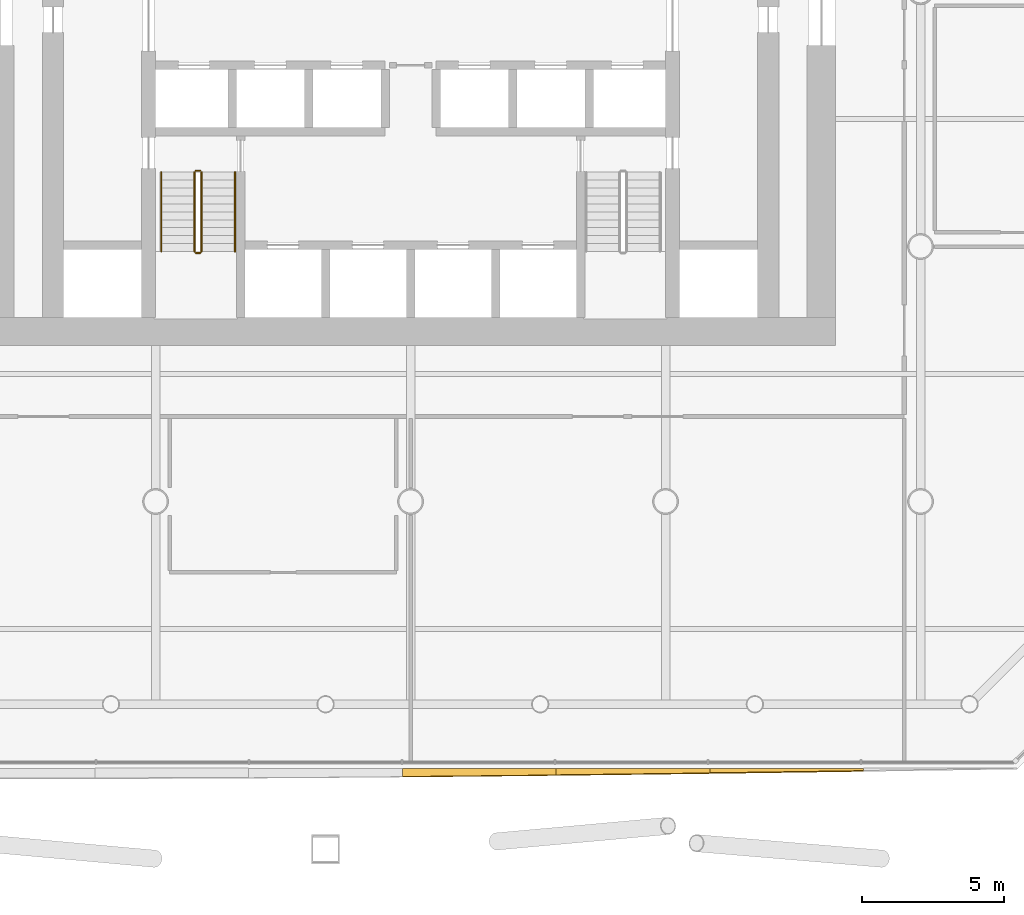
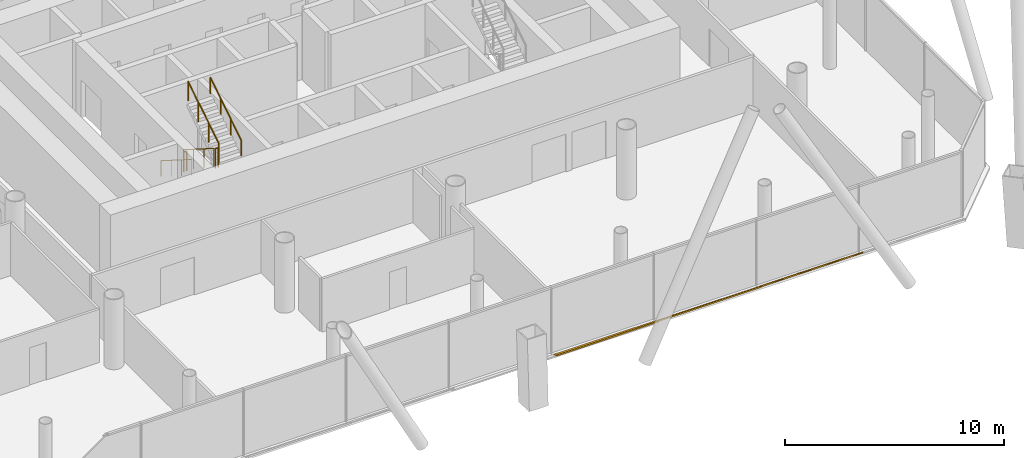
# One storey, part 22 of 25: 6 railings, 3 shading devices.
"""IFC4 building model written with IfcOpenShell, lengths in metres."""

import ifcopenshell
import ifcopenshell.guid

model = None  # the IFC model being written
_history = None  # IfcOwnerHistory: only IFC2X3 demands one
_inside = {}  # id of a spatial element -> (the spatial element, [elements in it])
_under = {}  # id of a project, library or spatial element -> (it, [spatial elements below it])
_declared = {}  # id of a project -> (the project, [libraries it declares])
_typed = {}  # id of a type object -> (the type object, [elements of that type])
_made_of = {}  # id of a material, layer set ... -> (it, [elements and type objects made of it])


def new_model(schema):
    """Start an empty IFC model of exactly this schema.

    Asked for "IFC4X3", IfcOpenShell would pick the latest addendum, in which some entities
    have other attributes; the version numbers below select the first issue.
    IFC2X3 requires an IfcOwnerHistory on every rooted entity: one is made here for all.
    """
    global model, _history
    if schema == "IFC4X3":
        model = ifcopenshell.file(schema_version=(4, 3, 0, 0))
    else:
        model = ifcopenshell.file(schema=schema)
    _inside.clear()
    _under.clear()
    _declared.clear()
    _typed.clear()
    _made_of.clear()
    _history = None
    if model.schema == "IFC2X3":
        org = make("IfcOrganization", Name="unknown")
        user = make(
            "IfcPersonAndOrganization",
            ThePerson=make("IfcPerson", FamilyName="unknown"),
            TheOrganization=org,
        )
        app = make(
            "IfcApplication",
            ApplicationDeveloper=org,
            Version="unknown",
            ApplicationFullName="unknown",
            ApplicationIdentifier="unknown",
        )
        _history = make(
            "IfcOwnerHistory",
            OwningUser=user,
            OwningApplication=app,
            ChangeAction="ADDED",
            CreationDate=0,
        )
    return model


def make(cls, **values):
    """One entity of the class cls with the attributes given. An attribute that is None is left unset."""
    return model.create_entity(
        cls, **{name: value for name, value in values.items() if value is not None}
    )


def rooted(cls, **values):
    """An entity with a GlobalId (a new one), such as an element, a storey or a relation."""
    return make(cls, GlobalId=ifcopenshell.guid.new(), OwnerHistory=_history, **values)


def si_unit(unit_type, name, prefix=None):
    """IfcSIUnit, for example si_unit("LENGTHUNIT", "METRE", prefix="MILLI")."""
    return make("IfcSIUnit", UnitType=unit_type, Prefix=prefix, Name=name)


def assignment(units):
    """IfcUnitAssignment: the units of a project."""
    return None if units is None else make("IfcUnitAssignment", Units=units)


def point(xyz):
    """IfcCartesianPoint."""
    return None if xyz is None else make("IfcCartesianPoint", Coordinates=xyz)


def direction(xyz):
    """IfcDirection."""
    return None if xyz is None else make("IfcDirection", DirectionRatios=xyz)


def frame(location, z_axis=None, x_axis=None):
    """IfcAxis2Placement3D, a coordinate frame: its origin and axes. An axis left out is left unset."""
    return make(
        "IfcAxis2Placement3D",
        Location=point(location),
        Axis=direction(z_axis),
        RefDirection=direction(x_axis),
    )


def frame_2d(location, x_axis=None):
    """IfcAxis2Placement2D, a coordinate frame in the plane: its origin and x axis."""
    return make(
        "IfcAxis2Placement2D", Location=point(location), RefDirection=direction(x_axis)
    )


def origin():
    """The frame at (0, 0, 0) with its axes left unset."""
    return frame((0.0, 0.0, 0.0))


def origin_2d():
    """The frame at (0, 0) in the plane with its x axis left unset."""
    return frame_2d((0.0, 0.0))


def place(relative_to, where):
    """IfcLocalPlacement: puts the frame where relative to a parent placement (None: the world)."""
    return make(
        "IfcLocalPlacement", PlacementRelTo=relative_to, RelativePlacement=where
    )


def context(
    kind, dimensions, precision=None, world=None, true_north=None, identifier=None
):
    """IfcGeometricRepresentationContext, for example the 3D "Model" context."""
    return make(
        "IfcGeometricRepresentationContext",
        ContextIdentifier=identifier,
        ContextType=kind,
        CoordinateSpaceDimension=dimensions,
        Precision=precision,
        WorldCoordinateSystem=world,
        TrueNorth=true_north,
    )


def subcontext(parent, identifier, kind, view, scale=None):
    """IfcGeometricRepresentationSubContext, for example "Body" below "Model"."""
    return make(
        "IfcGeometricRepresentationSubContext",
        ContextIdentifier=identifier,
        ContextType=kind,
        ParentContext=parent,
        TargetScale=scale,
        TargetView=view,
    )


def project(units=None, contexts=None):
    """IfcProject with its units and contexts."""
    return rooted(
        "IfcProject",
        Name="project",
        RepresentationContexts=contexts,
        UnitsInContext=assignment(units),
    )


def spatial(cls, under=None, at=None, **own):
    """A site, building, storey or space (cls), placed at a placement, below another one or the project."""
    s = rooted(cls, ObjectPlacement=at, **own)
    if under is not None:
        _under.setdefault(under.id(), (under, []))[1].append(s)
    return s


def polyline(points):
    """IfcPolyline through the points."""
    return make("IfcPolyline", Points=[point(p) for p in points])


def profile(cls, at=None, kind="AREA", **sizes):
    """A parametric profile (cls). Its sizes go by their IFC names, for example OverallWidth=200.0."""
    return make(cls, ProfileType=kind, Position=at, **sizes)


def circle(**sizes):
    """IfcCircleProfileDef."""
    return profile("IfcCircleProfileDef", **sizes)


def outline(outer, holes=None, kind="AREA"):
    """IfcArbitraryClosedProfileDef: a profile drawn as a closed curve; with holes, ...WithVoids."""
    if holes is None:
        return make("IfcArbitraryClosedProfileDef", ProfileType=kind, OuterCurve=outer)
    return make(
        "IfcArbitraryProfileDefWithVoids",
        ProfileType=kind,
        OuterCurve=outer,
        InnerCurves=holes,
    )


def extrude(swept, where, along, depth):
    """IfcExtrudedAreaSolid: the profile swept, set in the frame where, extruded along a direction by depth."""
    return make(
        "IfcExtrudedAreaSolid",
        SweptArea=swept,
        Position=where,
        ExtrudedDirection=direction(along),
        Depth=depth,
    )


def shape(context_of_items, identifier, shape_type, items):
    """IfcShapeRepresentation: the items that make up one representation, for example the "Body"."""
    return make(
        "IfcShapeRepresentation",
        ContextOfItems=context_of_items,
        RepresentationIdentifier=identifier,
        RepresentationType=shape_type,
        Items=items,
    )


def material(Name=None, Category=None):
    """IfcMaterial."""
    return make("IfcMaterial", Name=Name, Category=Category)


def layer(
    of_material, thickness, ventilated=None, Name=None, Category=None, Priority=None
):
    """IfcMaterialLayer: one layer of a wall or slab, of a material (None: an air gap)."""
    return make(
        "IfcMaterialLayer",
        Material=of_material,
        LayerThickness=thickness,
        IsVentilated=ventilated,
        Name=Name,
        Category=Category,
        Priority=Priority,
    )


def layer_set(layers, Name=None):
    """IfcMaterialLayerSet."""
    return make("IfcMaterialLayerSet", MaterialLayers=layers, LayerSetName=Name)


def made_of(thing, what):
    """Note that an element or type object is made of a material, layer set ...; save() writes the relation."""
    if what is not None:
        _made_of.setdefault(what.id(), (what, []))[1].append(thing)
    return thing


def type_object(cls, material=None, **own):
    """A type object (cls), such as IfcWallType, which elements share."""
    return made_of(rooted(cls, **own), material)


def element(
    cls,
    number,
    at=None,
    inside=None,
    cuts=None,
    type_object=None,
    material=None,
    context=None,
    identifier="Body",
    shape_type=None,
    held_by="IfcProductDefinitionShape",
    body=None,
    shapes=None,
    **own,
):
    """One element of the class cls, such as IfcWall. Its Tag is "e" and its number.

    at: its placement. inside: the storey or other place that contains it. cuts: it is an
    opening in that element (IfcRelVoidsElement). A single representation is given by context,
    identifier, shape_type and body (its items); several are given by shapes. held_by: the class
    of the entity that holds the representations. save() writes the other relations.
    """
    e = rooted(cls, Tag="e%d" % number, ObjectPlacement=at, **own)
    if body is not None:
        shapes = [shape(context, identifier, shape_type, body)]
    if shapes is not None:
        e.Representation = make(held_by, Representations=shapes)
    if inside is not None:
        _inside.setdefault(inside.id(), (inside, []))[1].append(e)
    if cuts is not None:
        rooted(
            "IfcRelVoidsElement", RelatingBuildingElement=cuts, RelatedOpeningElement=e
        )
    if type_object is not None:
        _typed.setdefault(type_object.id(), (type_object, []))[1].append(e)
    return made_of(e, material)


def aggregate(whole, parts):
    """IfcRelAggregates: a whole, such as a stair, and the parts it consists of."""
    return rooted("IfcRelAggregates", RelatingObject=whole, RelatedObjects=parts)


def save(model, path):
    """Write the relations noted so far, then the file.

    IfcRelAggregates (storeys below a building ...), IfcRelContainedInSpatialStructure (elements
    in a storey), IfcRelDefinesByType, IfcRelAssociatesMaterial and IfcRelDeclares: one each for
    every whole, place, type object, material and project.
    """
    for whole, parts in _under.values():
        aggregate(whole, parts)
    for where, things in _inside.values():
        rooted(
            "IfcRelContainedInSpatialStructure",
            RelatedElements=things,
            RelatingStructure=where,
        )
    for kind, things in _typed.values():
        rooted("IfcRelDefinesByType", RelatedObjects=things, RelatingType=kind)
    for what, things in _made_of.values():
        rooted("IfcRelAssociatesMaterial", RelatedObjects=things, RelatingMaterial=what)
    for by, libraries in _declared.values():
        rooted("IfcRelDeclares", RelatingContext=by, RelatedDefinitions=libraries)
    model.write(path)


model = new_model("IFC4")

# Units and contexts
model_context = context("Model", 3, precision=1e-05, world=origin(), true_north=direction((0.0, 1.0)))
body_context = subcontext(model_context, "Body", "Model", "MODEL_VIEW")
ifc_project = project(units=[si_unit("LENGTHUNIT", "METRE"), si_unit("AREAUNIT", "SQUARE_METRE"), si_unit("VOLUMEUNIT", "CUBIC_METRE"), si_unit("PLANEANGLEUNIT", "RADIAN"), si_unit("MASSUNIT", "GRAM", prefix="KILO")], contexts=[model_context])

# Site, building, storey
site_placement = place(None, origin())
site = spatial("IfcSite", under=ifc_project, at=site_placement, CompositionType="ELEMENT")
building_placement = place(site_placement, origin())
building = spatial("IfcBuilding", under=site, at=building_placement, Name="Tskaro Facet Tower", CompositionType="ELEMENT")
storey_placement = place(building_placement, frame((0.0, 0.0, 22.5)))
storey = spatial("IfcBuildingStorey", under=building, at=storey_placement, Name="L04", CompositionType="ELEMENT", Elevation=22.5)

# Shading devices
ifc_material_1 = material(Name="Bronze anodised aluminium 6063-T6", Category="aluminium")
ifc_layer = layer(ifc_material_1, 0.06005859375, Name="Bronze anodised aluminium 6063-T6")
ifc_layer_set = layer_set([ifc_layer], Name="Bronze anodised aluminium 6063-T6")
shading_device_type = type_object("IfcShadingDeviceType", Name="Bronze sun blade (FN1)", PredefinedType="USERDEFINED", material=ifc_layer_set)
shading_device_1_placement = place(storey_placement, frame((-0.287841796875, -27.4267578125, 0.054443359375), z_axis=(-5.760054e-06, 0.4226762365, 0.906280750687), x_axis=(0.999999999983, 2.434638e-06, 5.220226e-06)))
element("IfcShadingDevice", 1, at=shading_device_1_placement, inside=storey, type_object=shading_device_type, Name="Fin blade south 6", ObjectType="FIN", PredefinedType="USERDEFINED", context=body_context, shape_type="SweptSolid", body=[
    extrude(outline(polyline([(0.0, 0.0), (5.4240722655350195, -2.297183958636327e-21), (5.424072266034216, -0.24760745003815554), (4.746093749242423, -0.2561324625707605), (4.068115234913888, -0.2643181476461152), (3.3901367180364153, -0.27229744784036325), (2.712158203027805, -0.28015868052626275), (2.0339355467141234, -0.28769546082270714), (1.355957031619832, -0.2950109811702497), (0.6779785158454651, -0.3020020491283371), (7.10983485840076e-11, -0.3089931170864245), (0.0, 0.0)])), origin(), (0.0, 0.0, -1.0), 0.06005859375),
])
shading_device_2_placement = place(storey_placement, frame((5.13623046875, -27.422119140625, 0.052001953125), z_axis=(2.286294e-06, 0.500102814686, 0.865966035557), x_axis=(0.999999999997, -1.143382e-06, -1.979853e-06)))
element("IfcShadingDevice", 2, at=shading_device_2_placement, inside=storey, type_object=shading_device_type, Name="Fin blade south 7", ObjectType="FIN", PredefinedType="USERDEFINED", context=body_context, shape_type="SweptSolid", body=[
    extrude(outline(polyline([(0.0, 0.0), (5.424316406235823, 0.0), (5.424316406120061, -0.1810274265326884), (4.7463378906746225, -0.19141387731982656), (4.068359374950037, -0.2015889106178145), (3.3901367186004534, -0.21176394391580247), (2.712158203080085, -0.22160546431089828), (2.0341796875597167, -0.2314469847059941), (1.356201171964419, -0.24074357470904756), (0.678222656369121, -0.250040164712101), (-1.303222251388612e-10, -0.2591253372260043), (0.0, 0.0)])), origin(), (0.0, 0.0, -1.0), 0.06005859375),
])
shading_device_3_placement = place(storey_placement, frame((10.560546875, -27.41748046875, 0.049072265625), z_axis=(-8.932162e-06, 0.573588791107, 0.819143393208), x_axis=(0.99999999996, 5.123388e-06, 7.316722e-06)))
element("IfcShadingDevice", 3, at=shading_device_3_placement, inside=storey, type_object=shading_device_type, Name="Fin blade south 8", ObjectType="FIN", PredefinedType="USERDEFINED", context=body_context, shape_type="SweptSolid", body=[
    extrude(outline(polyline([(0.0, 0.0), (5.424316406033615, 0.0), (5.4243164064335065, -0.09868385319942856), (4.7460937501941265, -0.11060431752591082), (4.068115234579738, -0.12252478185239307), (3.3901367189653477, -0.13444524617887535), (2.7121582028154765, -0.1460256879994077), (2.034179688451914, -0.15774616614589954), (1.3559570298907437, -0.16918657164047246), (0.6779785149916997, -0.18056702728101437), (-4.4282620488027983e-10, -0.19160746041560645), (0.0, 0.0)])), origin(), (0.0, 0.0, -1.0), 0.06005859375),
])

# Railings
ifc_material_2 = material(Name="Stainless steel", Category="steel")
railing_type_1 = type_object("IfcRailingType", Name="RL-GUARD-1100", PredefinedType="GUARDRAIL", material=ifc_material_2)
railing_1_placement = place(storey_placement, frame((-7.625, -6.375, 0.17724609375)))
element("IfcRailing", 4, at=railing_1_placement, inside=storey, type_object=railing_type_1, Name="L04 ST-1 stair guard 1", PredefinedType="GUARDRAIL", context=body_context, shape_type="SweptSolid", body=[
    extrude(circle(Radius=0.02392578125, at=origin_2d()), frame((0.0, 0.0, 1.076171875), z_axis=(0.0, -0.844908973607, 0.534910110503), x_axis=(1.0, 0.0, 0.0)), (0.0, 0.0, 1.0), 3.31396484375),
    extrude(circle(Radius=0.02099609375, at=origin_2d()), origin(), (0.0, 0.0, 1.0), 1.052001953125),
    extrude(circle(Radius=0.02099609375, at=origin_2d()), frame((0.0, -0.933349609375, 0.5908203125)), (0.0, 0.0, 1.0), 1.052001953125),
    extrude(circle(Radius=0.02099609375, at=origin_2d()), frame((0.0, -1.86669921875, 1.181884765625)), (0.0, 0.0, 1.0), 1.052001953125),
    extrude(circle(Radius=0.02099609375, at=origin_2d()), frame((0.0, -2.800048828125, 1.772705078125)), (0.0, 0.0, 1.0), 1.052001953125),
])
railing_2_placement = place(storey_placement, frame((-7.574951171875, -9.22509765625, 1.949951171875)))
element("IfcRailing", 5, at=railing_2_placement, inside=storey, type_object=railing_type_1, Name="L04 ST-1 stair guard 2", PredefinedType="GUARDRAIL", context=body_context, shape_type="SweptSolid", body=[
    extrude(circle(Radius=0.02392578125, at=origin_2d()), frame((0.0, 0.0, 1.076171875), z_axis=(1.0, 0.0, 0.0), x_axis=(0.0, 1.0, 0.0)), (0.0, 0.0, 1.0), 0.14990234375),
    extrude(circle(Radius=0.02099609375, at=origin_2d()), origin(), (0.0, 0.0, 1.0), 1.052001953125),
    extrude(circle(Radius=0.02099609375, at=origin_2d()), frame((0.14990234375, 0.0, 0.0)), (0.0, 0.0, 1.0), 1.052001953125),
])
railing_3_placement = place(storey_placement, frame((-7.375, -9.175048828125, 2.127197265625)))
element("IfcRailing", 6, at=railing_3_placement, inside=storey, type_object=railing_type_1, Name="L04 ST-1 stair guard 3", PredefinedType="GUARDRAIL", context=body_context, shape_type="SweptSolid", body=[
    extrude(circle(Radius=0.02392578125, at=origin_2d()), frame((0.0, 0.0, 1.076171875), z_axis=(0.0, 0.844908973607, 0.534910110503), x_axis=(-1.0, 0.0, 0.0)), (0.0, 0.0, 1.0), 3.31396484375),
    extrude(circle(Radius=0.02099609375, at=origin_2d()), origin(), (0.0, 0.0, 1.0), 1.052001953125),
    extrude(circle(Radius=0.02099609375, at=origin_2d()), frame((0.0, 0.933349609375, 0.5908203125)), (0.0, 0.0, 1.0), 1.052001953125),
    extrude(circle(Radius=0.02099609375, at=origin_2d()), frame((0.0, 1.86669921875, 1.181884765625)), (0.0, 0.0, 1.0), 1.052001953125),
    extrude(circle(Radius=0.02099609375, at=origin_2d()), frame((0.0, 2.800048828125, 1.772705078125)), (0.0, 0.0, 1.0), 1.052001953125),
])
railing_4_placement = place(storey_placement, frame((-7.574951171875, -6.324951171875, 0.0)))
element("IfcRailing", 7, at=railing_4_placement, inside=storey, type_object=railing_type_1, Name="L04 ST-1 stair guard 4", PredefinedType="GUARDRAIL", context=body_context, shape_type="SweptSolid", body=[
    extrude(circle(Radius=0.02392578125, at=origin_2d()), frame((0.0, 0.0, 1.076171875), z_axis=(1.0, 0.0, 0.0), x_axis=(0.0, 1.0, 0.0)), (0.0, 0.0, 1.0), 0.14990234375),
    extrude(circle(Radius=0.02099609375, at=origin_2d()), origin(), (0.0, 0.0, 1.0), 1.052001953125),
    extrude(circle(Radius=0.02099609375, at=origin_2d()), frame((0.14990234375, 0.0, 0.0)), (0.0, 0.0, 1.0), 1.052001953125),
])
railing_type_2 = type_object("IfcRailingType", Name="RL-HANDRAIL-900", PredefinedType="HANDRAIL", material=ifc_material_2)
railing_5_placement = place(storey_placement, frame((-8.800048828125, -6.375, 0.17724609375)))
element("IfcRailing", 8, at=railing_5_placement, inside=storey, type_object=railing_type_2, Name="L04 ST-1 stair handrail 1", PredefinedType="HANDRAIL", context=body_context, shape_type="SweptSolid", body=[
    extrude(circle(Radius=0.02392578125, at=origin_2d()), frame((0.0, 0.0, 0.8759765625), z_axis=(0.0, -0.844908973607, 0.534910110503), x_axis=(1.0, 0.0, 0.0)), (0.0, 0.0, 1.0), 3.31396484375),
    extrude(circle(Radius=0.02099609375, at=origin_2d()), origin(), (0.0, 0.0, 1.0), 0.851806640625),
    extrude(circle(Radius=0.02099609375, at=origin_2d()), frame((0.0, -0.933349609375, 0.5908203125)), (0.0, 0.0, 1.0), 0.851806640625),
    extrude(circle(Radius=0.02099609375, at=origin_2d()), frame((0.0, -1.86669921875, 1.181884765625)), (0.0, 0.0, 1.0), 0.851806640625),
    extrude(circle(Radius=0.02099609375, at=origin_2d()), frame((0.0, -2.800048828125, 1.772705078125)), (0.0, 0.0, 1.0), 0.851806640625),
])
railing_6_placement = place(storey_placement, frame((-6.199951171875, -9.175048828125, 2.127197265625)))
element("IfcRailing", 9, at=railing_6_placement, inside=storey, type_object=railing_type_2, Name="L04 ST-1 stair handrail 2", PredefinedType="HANDRAIL", context=body_context, shape_type="SweptSolid", body=[
    extrude(circle(Radius=0.02392578125, at=origin_2d()), frame((0.0, 0.0, 0.8759765625), z_axis=(0.0, 0.844908973607, 0.534910110503), x_axis=(-1.0, 0.0, 0.0)), (0.0, 0.0, 1.0), 3.31396484375),
    extrude(circle(Radius=0.02099609375, at=origin_2d()), origin(), (0.0, 0.0, 1.0), 0.851806640625),
    extrude(circle(Radius=0.02099609375, at=origin_2d()), frame((0.0, 0.933349609375, 0.5908203125)), (0.0, 0.0, 1.0), 0.851806640625),
    extrude(circle(Radius=0.02099609375, at=origin_2d()), frame((0.0, 1.86669921875, 1.181884765625)), (0.0, 0.0, 1.0), 0.851806640625),
    extrude(circle(Radius=0.02099609375, at=origin_2d()), frame((0.0, 2.800048828125, 1.772705078125)), (0.0, 0.0, 1.0), 0.851806640625),
])

save(model, "model.ifc")
